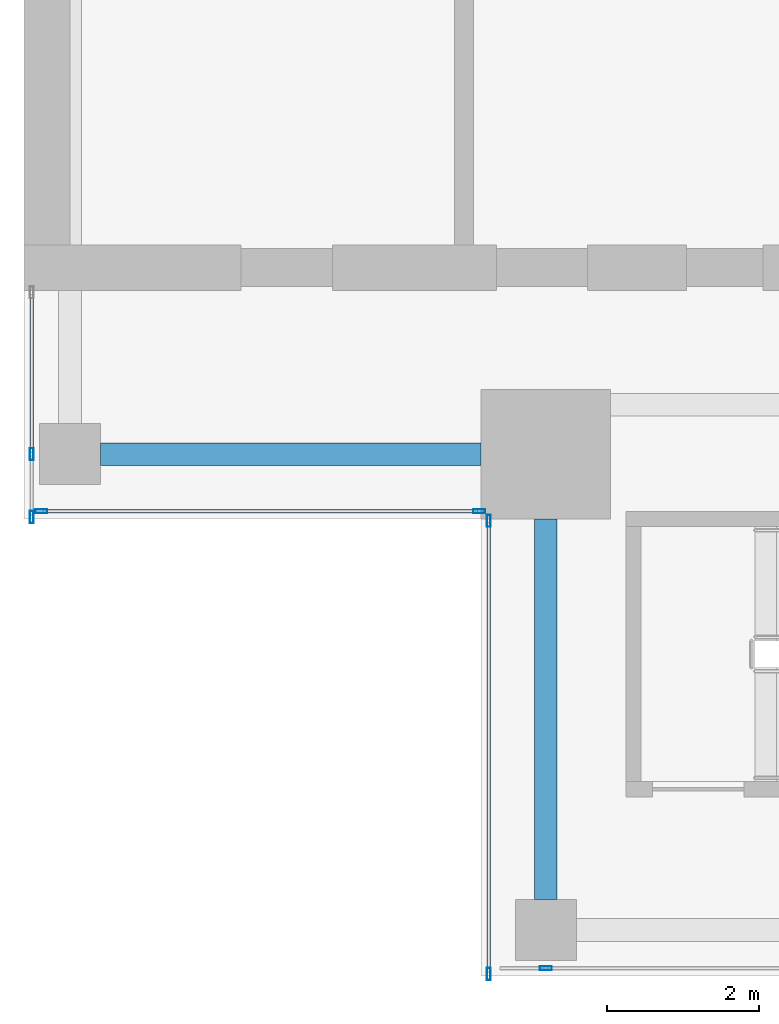
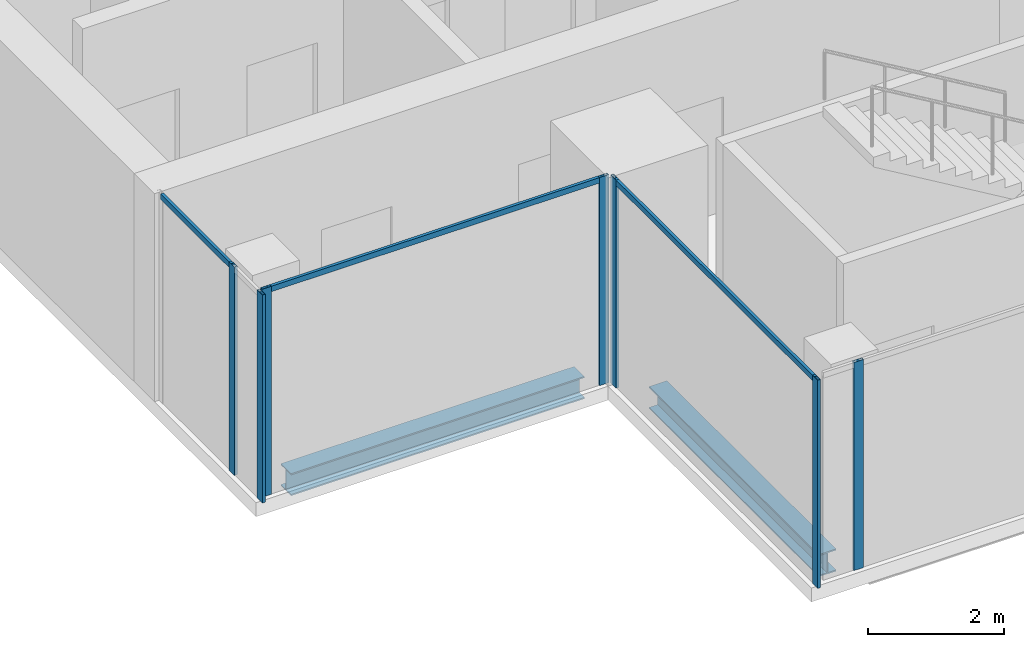
# One storey, part 2 of 29: 10 members, 2 beams, 4 elements without a shape of their own.
"""IFC4 building model written with IfcOpenShell, lengths in metres."""

import ifcopenshell
import ifcopenshell.guid

model = None  # the IFC model being written
_history = None  # IfcOwnerHistory: only IFC2X3 demands one
_inside = {}  # id of a spatial element -> (the spatial element, [elements in it])
_under = {}  # id of a project, library or spatial element -> (it, [spatial elements below it])
_declared = {}  # id of a project -> (the project, [libraries it declares])
_typed = {}  # id of a type object -> (the type object, [elements of that type])
_made_of = {}  # id of a material, layer set ... -> (it, [elements and type objects made of it])


def new_model(schema):
    """Start an empty IFC model of exactly this schema.

    Asked for "IFC4X3", IfcOpenShell would pick the latest addendum, in which some entities
    have other attributes; the version numbers below select the first issue.
    IFC2X3 requires an IfcOwnerHistory on every rooted entity: one is made here for all.
    """
    global model, _history
    if schema == "IFC4X3":
        model = ifcopenshell.file(schema_version=(4, 3, 0, 0))
    else:
        model = ifcopenshell.file(schema=schema)
    _inside.clear()
    _under.clear()
    _declared.clear()
    _typed.clear()
    _made_of.clear()
    _history = None
    if model.schema == "IFC2X3":
        org = make("IfcOrganization", Name="unknown")
        user = make(
            "IfcPersonAndOrganization",
            ThePerson=make("IfcPerson", FamilyName="unknown"),
            TheOrganization=org,
        )
        app = make(
            "IfcApplication",
            ApplicationDeveloper=org,
            Version="unknown",
            ApplicationFullName="unknown",
            ApplicationIdentifier="unknown",
        )
        _history = make(
            "IfcOwnerHistory",
            OwningUser=user,
            OwningApplication=app,
            ChangeAction="ADDED",
            CreationDate=0,
        )
    return model


def make(cls, **values):
    """One entity of the class cls with the attributes given. An attribute that is None is left unset."""
    return model.create_entity(
        cls, **{name: value for name, value in values.items() if value is not None}
    )


def rooted(cls, **values):
    """An entity with a GlobalId (a new one), such as an element, a storey or a relation."""
    return make(cls, GlobalId=ifcopenshell.guid.new(), OwnerHistory=_history, **values)


def si_unit(unit_type, name, prefix=None):
    """IfcSIUnit, for example si_unit("LENGTHUNIT", "METRE", prefix="MILLI")."""
    return make("IfcSIUnit", UnitType=unit_type, Prefix=prefix, Name=name)


def assignment(units):
    """IfcUnitAssignment: the units of a project."""
    return None if units is None else make("IfcUnitAssignment", Units=units)


def point(xyz):
    """IfcCartesianPoint."""
    return None if xyz is None else make("IfcCartesianPoint", Coordinates=xyz)


def direction(xyz):
    """IfcDirection."""
    return None if xyz is None else make("IfcDirection", DirectionRatios=xyz)


def frame(location, z_axis=None, x_axis=None):
    """IfcAxis2Placement3D, a coordinate frame: its origin and axes. An axis left out is left unset."""
    return make(
        "IfcAxis2Placement3D",
        Location=point(location),
        Axis=direction(z_axis),
        RefDirection=direction(x_axis),
    )


def frame_2d(location, x_axis=None):
    """IfcAxis2Placement2D, a coordinate frame in the plane: its origin and x axis."""
    return make(
        "IfcAxis2Placement2D", Location=point(location), RefDirection=direction(x_axis)
    )


def origin():
    """The frame at (0, 0, 0) with its axes left unset."""
    return frame((0.0, 0.0, 0.0))


def origin_2d():
    """The frame at (0, 0) in the plane with its x axis left unset."""
    return frame_2d((0.0, 0.0))


def place(relative_to, where):
    """IfcLocalPlacement: puts the frame where relative to a parent placement (None: the world)."""
    return make(
        "IfcLocalPlacement", PlacementRelTo=relative_to, RelativePlacement=where
    )


def context(
    kind, dimensions, precision=None, world=None, true_north=None, identifier=None
):
    """IfcGeometricRepresentationContext, for example the 3D "Model" context."""
    return make(
        "IfcGeometricRepresentationContext",
        ContextIdentifier=identifier,
        ContextType=kind,
        CoordinateSpaceDimension=dimensions,
        Precision=precision,
        WorldCoordinateSystem=world,
        TrueNorth=true_north,
    )


def subcontext(parent, identifier, kind, view, scale=None):
    """IfcGeometricRepresentationSubContext, for example "Body" below "Model"."""
    return make(
        "IfcGeometricRepresentationSubContext",
        ContextIdentifier=identifier,
        ContextType=kind,
        ParentContext=parent,
        TargetScale=scale,
        TargetView=view,
    )


def project(units=None, contexts=None):
    """IfcProject with its units and contexts."""
    return rooted(
        "IfcProject",
        Name="project",
        RepresentationContexts=contexts,
        UnitsInContext=assignment(units),
    )


def spatial(cls, under=None, at=None, **own):
    """A site, building, storey or space (cls), placed at a placement, below another one or the project."""
    s = rooted(cls, ObjectPlacement=at, **own)
    if under is not None:
        _under.setdefault(under.id(), (under, []))[1].append(s)
    return s


def profile(cls, at=None, kind="AREA", **sizes):
    """A parametric profile (cls). Its sizes go by their IFC names, for example OverallWidth=200.0."""
    return make(cls, ProfileType=kind, Position=at, **sizes)


def hollow_rectangle(**sizes):
    """IfcRectangleHollowProfileDef."""
    return profile("IfcRectangleHollowProfileDef", **sizes)


def i_section(**sizes):
    """IfcIShapeProfileDef."""
    return profile("IfcIShapeProfileDef", **sizes)


def extrude(swept, where, along, depth):
    """IfcExtrudedAreaSolid: the profile swept, set in the frame where, extruded along a direction by depth."""
    return make(
        "IfcExtrudedAreaSolid",
        SweptArea=swept,
        Position=where,
        ExtrudedDirection=direction(along),
        Depth=depth,
    )


def shape(context_of_items, identifier, shape_type, items):
    """IfcShapeRepresentation: the items that make up one representation, for example the "Body"."""
    return make(
        "IfcShapeRepresentation",
        ContextOfItems=context_of_items,
        RepresentationIdentifier=identifier,
        RepresentationType=shape_type,
        Items=items,
    )


def source(mapping_origin, context_of_items, identifier, shape_type, items):
    """IfcRepresentationMap: a shape defined once, which mapped items show again and again."""
    return make(
        "IfcRepresentationMap",
        MappingOrigin=mapping_origin,
        MappedRepresentation=shape(context_of_items, identifier, shape_type, items),
    )


def transform(
    local_origin,
    x_axis=None,
    y_axis=None,
    z_axis=None,
    scale=None,
    scale2=None,
    scale3=None,
    uniform=True,
):
    """IfcCartesianTransformationOperator3D, or its non-uniform kind. x_axis, y_axis, z_axis: its Axis1, 2, 3."""
    if uniform:
        return make(
            "IfcCartesianTransformationOperator3D",
            Axis1=direction(x_axis),
            Axis2=direction(y_axis),
            LocalOrigin=point(local_origin),
            Scale=scale,
            Axis3=direction(z_axis),
        )
    return make(
        "IfcCartesianTransformationOperator3DnonUniform",
        Axis1=direction(x_axis),
        Axis2=direction(y_axis),
        LocalOrigin=point(local_origin),
        Scale=scale,
        Axis3=direction(z_axis),
        Scale2=scale2,
        Scale3=scale3,
    )


def mapped(mapping_source, mapping_target):
    """IfcMappedItem: shows the shape of a source again, moved by a transform."""
    return make(
        "IfcMappedItem", MappingSource=mapping_source, MappingTarget=mapping_target
    )


def material(Name=None, Category=None):
    """IfcMaterial."""
    return make("IfcMaterial", Name=Name, Category=Category)


def material_profile(
    of_material, cross_section, Name=None, Category=None, Priority=None
):
    """IfcMaterialProfile: a cross section and its material."""
    return make(
        "IfcMaterialProfile",
        Name=Name,
        Material=of_material,
        Profile=cross_section,
        Priority=Priority,
        Category=Category,
    )


def profile_set(profiles, Name=None, composite=None):
    """IfcMaterialProfileSet."""
    return make(
        "IfcMaterialProfileSet",
        Name=Name,
        MaterialProfiles=profiles,
        CompositeProfile=composite,
    )


def made_of(thing, what):
    """Note that an element or type object is made of a material, layer set ...; save() writes the relation."""
    if what is not None:
        _made_of.setdefault(what.id(), (what, []))[1].append(thing)
    return thing


def type_object(cls, material=None, **own):
    """A type object (cls), such as IfcWallType, which elements share."""
    return made_of(rooted(cls, **own), material)


def element(
    cls,
    number,
    at=None,
    inside=None,
    cuts=None,
    type_object=None,
    material=None,
    context=None,
    identifier="Body",
    shape_type=None,
    held_by="IfcProductDefinitionShape",
    body=None,
    shapes=None,
    **own,
):
    """One element of the class cls, such as IfcWall. Its Tag is "e" and its number.

    at: its placement. inside: the storey or other place that contains it. cuts: it is an
    opening in that element (IfcRelVoidsElement). A single representation is given by context,
    identifier, shape_type and body (its items); several are given by shapes. held_by: the class
    of the entity that holds the representations. save() writes the other relations.
    """
    e = rooted(cls, Tag="e%d" % number, ObjectPlacement=at, **own)
    if body is not None:
        shapes = [shape(context, identifier, shape_type, body)]
    if shapes is not None:
        e.Representation = make(held_by, Representations=shapes)
    if inside is not None:
        _inside.setdefault(inside.id(), (inside, []))[1].append(e)
    if cuts is not None:
        rooted(
            "IfcRelVoidsElement", RelatingBuildingElement=cuts, RelatedOpeningElement=e
        )
    if type_object is not None:
        _typed.setdefault(type_object.id(), (type_object, []))[1].append(e)
    return made_of(e, material)


def aggregate(whole, parts):
    """IfcRelAggregates: a whole, such as a stair, and the parts it consists of."""
    return rooted("IfcRelAggregates", RelatingObject=whole, RelatedObjects=parts)


def save(model, path):
    """Write the relations noted so far, then the file.

    IfcRelAggregates (storeys below a building ...), IfcRelContainedInSpatialStructure (elements
    in a storey), IfcRelDefinesByType, IfcRelAssociatesMaterial and IfcRelDeclares: one each for
    every whole, place, type object, material and project.
    """
    for whole, parts in _under.values():
        aggregate(whole, parts)
    for where, things in _inside.values():
        rooted(
            "IfcRelContainedInSpatialStructure",
            RelatedElements=things,
            RelatingStructure=where,
        )
    for kind, things in _typed.values():
        rooted("IfcRelDefinesByType", RelatedObjects=things, RelatingType=kind)
    for what, things in _made_of.values():
        rooted("IfcRelAssociatesMaterial", RelatedObjects=things, RelatingMaterial=what)
    for by, libraries in _declared.values():
        rooted("IfcRelDeclares", RelatingContext=by, RelatedDefinitions=libraries)
    model.write(path)


model = new_model("IFC4")

# Units and contexts
model_context = context("Model", 3, precision=1e-05, world=origin(), true_north=direction((0.0, 1.0)))
body_context = subcontext(model_context, "Body", "Model", "MODEL_VIEW")
ifc_project = project(units=[si_unit("LENGTHUNIT", "METRE"), si_unit("AREAUNIT", "SQUARE_METRE"), si_unit("VOLUMEUNIT", "CUBIC_METRE"), si_unit("PLANEANGLEUNIT", "RADIAN"), si_unit("MASSUNIT", "GRAM", prefix="KILO")], contexts=[model_context])

# Site, building, storey
site_placement = place(None, origin())
site = spatial("IfcSite", under=ifc_project, at=site_placement, CompositionType="ELEMENT")
building_placement = place(site_placement, origin())
building = spatial("IfcBuilding", under=site, at=building_placement, Name="Khomas Fold Tower", CompositionType="ELEMENT")
storey_placement = place(building_placement, frame((0.0, 0.0, 326.199951171875)))
storey = spatial("IfcBuildingStorey", under=building, at=storey_placement, Name="L74", CompositionType="ELEMENT", Elevation=326.199951171875)

# Beams
ifc_material_1 = material(Name="Steel S355", Category="steel")
ifc_material_profile_1 = material_profile(ifc_material_1, i_section(OverallWidth=0.300048828125, OverallDepth=0.39990234375, WebThickness=0.013427734375, FlangeThickness=0.02392578125, at=origin_2d()), Name="HE 400 B")
ifc_profile_set_1 = profile_set([ifc_material_profile_1], Name="Steel S355")
beam_type = type_object("IfcBeamType", Name="HE 400 B spandrel SB5", PredefinedType="SPANDREL", material=ifc_profile_set_1)
shared_shape_1 = source(origin(), body_context, "Body", "SweptSolid", [
    extrude(i_section(OverallWidth=0.300048828125, OverallDepth=0.39990234375, WebThickness=0.013427734375, FlangeThickness=0.02392578125, at=origin_2d()), origin(), (0.0, 0.0, 1.0), 5.0),
])
for number, where, z_axis, x_axis, name in (
    (1, (7.0, 12.85009765625, -0.449951171875), (1.0, 0.0, 0.0), (0.0, 1.0, 0.0), "SB5"),
    (2, (12.85009765625, 7.0, -0.449951171875), (0.0, 1.0, 0.0), (-1.0, 0.0, 0.0), "SB5"),
):
    element("IfcBeam", number, at=place(storey_placement, frame(where, z_axis=z_axis, x_axis=x_axis)), inside=storey, type_object=beam_type, Name=name, PredefinedType="SPANDREL", context=body_context, shape_type="MappedRepresentation", body=[
        mapped(shared_shape_1, transform((0.0, 0.0, 0.0))),
    ])

# Curtain wall, member
ifc_material_2 = material(Name="Aluminium framed double glazing", Category="aluminium")
curtain_wall_type = type_object("IfcCurtainWallType", Name="SK-Unitised clear-glass wall, upper floors CW3", PredefinedType="NOTDEFINED", material=ifc_material_2)
curtain_wall_1_placement = place(storey_placement, origin())
curtain_wall_1 = element("IfcCurtainWall", 3, at=curtain_wall_1_placement, inside=storey, type_object=curtain_wall_type, Name="CW3 run L74 00-0", PredefinedType="NOTDEFINED")
ifc_material_3 = material(Name="Aluminium", Category="aluminium")
ifc_material_profile_2 = material_profile(ifc_material_3, hollow_rectangle(XDim=0.050048828125, YDim=0.159912109375, WallThickness=0.00390625, at=origin_2d()), Name="SK-Unitised clear-glass wall, upper floors mullion CW3-M")
ifc_profile_set_2 = profile_set([ifc_material_profile_2], Name="Aluminium")
member_type_1 = type_object("IfcMemberType", Name="SK-Unitised clear-glass wall, upper floors mullion CW3-M", PredefinedType="MULLION", material=ifc_profile_set_2)
shared_shape_2 = source(origin(), body_context, "Body", "SweptSolid", [
    extrude(hollow_rectangle(XDim=0.050048828125, YDim=0.159912109375, WallThickness=0.00390625, at=origin_2d()), origin(), (0.0, 0.0, 1.0), 3.75),
])
member_1_placement = place(storey_placement, frame((12.85009765625, 6.10009765625, 0.0), z_axis=(0.0, 0.0, 1.0), x_axis=(0.0, 1.0, 0.0)))
member_1 = element("IfcMember", 4, at=member_1_placement, type_object=member_type_1, Name="CW3 mullion 2", PredefinedType="MULLION", context=body_context, shape_type="MappedRepresentation", body=[
    mapped(shared_shape_2, transform((0.0, 0.0, 0.0))),
])
aggregate(curtain_wall_1, [member_1])

# Curtain wall, members
curtain_wall_2_placement = place(storey_placement, origin())
curtain_wall_2 = element("IfcCurtainWall", 5, at=curtain_wall_2_placement, inside=storey, type_object=curtain_wall_type, Name="CW3 run L74 09-1", PredefinedType="NOTDEFINED")
member_2_placement = place(storey_placement, frame((6.10009765625, 12.85009765625, 0.0), z_axis=(0.0, 0.0, 1.0), x_axis=(1.0, 0.0, 0.0)))
member_2 = element("IfcMember", 6, at=member_2_placement, type_object=member_type_1, Name="CW3 mullion 2", PredefinedType="MULLION", context=body_context, shape_type="MappedRepresentation", body=[
    mapped(shared_shape_2, transform((0.0, 0.0, 0.0))),
])
member_3_placement = place(storey_placement, frame((6.10009765625, 12.02490234375, 0.0), z_axis=(0.0, 0.0, 1.0), x_axis=(1.0, 0.0, 0.0)))
member_3 = element("IfcMember", 7, at=member_3_placement, type_object=member_type_1, Name="CW3 mullion 3", PredefinedType="MULLION", context=body_context, shape_type="MappedRepresentation", body=[
    mapped(shared_shape_2, transform((0.0, 0.0, 0.0))),
])

curtain_wall_3_placement = place(storey_placement, origin())
curtain_wall_3 = element("IfcCurtainWall", 8, at=curtain_wall_3_placement, inside=storey, type_object=curtain_wall_type, Name="CW3 corner return L74 10", PredefinedType="NOTDEFINED")
member_4_placement = place(storey_placement, frame((6.22509765625, 12.10009765625, 0.0), z_axis=(0.0, 0.0, 1.0), x_axis=(0.0, 1.0, 0.0)))
member_4 = element("IfcMember", 9, at=member_4_placement, type_object=member_type_1, Name="CW3 mullion 1", PredefinedType="MULLION", context=body_context, shape_type="MappedRepresentation", body=[
    mapped(shared_shape_2, transform((0.0, 0.0, 0.0))),
])
member_5_placement = place(storey_placement, frame((11.97509765625, 12.10009765625, 0.0), z_axis=(0.0, 0.0, 1.0), x_axis=(0.0, 1.0, 0.0)))
member_5 = element("IfcMember", 10, at=member_5_placement, type_object=member_type_1, Name="CW3 mullion 2", PredefinedType="MULLION", context=body_context, shape_type="MappedRepresentation", body=[
    mapped(shared_shape_2, transform((0.0, 0.0, 0.0))),
])

curtain_wall_4_placement = place(storey_placement, origin())
curtain_wall_4 = element("IfcCurtainWall", 11, at=curtain_wall_4_placement, inside=storey, type_object=curtain_wall_type, Name="CW3 corner return L74 11", PredefinedType="NOTDEFINED")
member_6_placement = place(storey_placement, frame((12.10009765625, 11.97509765625, 0.0), z_axis=(0.0, 0.0, 1.0), x_axis=(1.0, 0.0, 0.0)))
member_6 = element("IfcMember", 12, at=member_6_placement, type_object=member_type_1, Name="CW3 mullion 1", PredefinedType="MULLION", context=body_context, shape_type="MappedRepresentation", body=[
    mapped(shared_shape_2, transform((0.0, 0.0, 0.0))),
])
member_7_placement = place(storey_placement, frame((12.10009765625, 6.02490234375, 0.0), z_axis=(0.0, 0.0, 1.0), x_axis=(1.0, 0.0, 0.0)))
member_7 = element("IfcMember", 13, at=member_7_placement, type_object=member_type_1, Name="CW3 mullion 2", PredefinedType="MULLION", context=body_context, shape_type="MappedRepresentation", body=[
    mapped(shared_shape_2, transform((0.0, 0.0, 0.0))),
])

# Member
ifc_material_4 = material(Name="Aluminium", Category="aluminium")
ifc_material_profile_3 = material_profile(ifc_material_4, hollow_rectangle(XDim=0.050048828125, YDim=0.10009765625, WallThickness=0.00390625, at=origin_2d()), Name="SK-Unitised clear-glass wall, upper floors transom CW3-T")
ifc_profile_set_3 = profile_set([ifc_material_profile_3], Name="Aluminium")
member_type_2 = type_object("IfcMemberType", Name="SK-Unitised clear-glass wall, upper floors transom CW3-T", PredefinedType="USERDEFINED", material=ifc_profile_set_3)
shared_shape_3 = source(origin(), body_context, "Body", "SweptSolid", [
    extrude(hollow_rectangle(XDim=0.050048828125, YDim=0.10009765625, WallThickness=0.00390625, at=origin_2d()), origin(), (0.0, 0.0, 1.0), 5.699951171875),
])
member_8_placement = place(storey_placement, frame((6.25, 12.10009765625, 3.699951171875), z_axis=(1.0, 0.0, 0.0), x_axis=(0.0, 1.0, 0.0)))
member_8 = element("IfcMember", 14, at=member_8_placement, type_object=member_type_2, Name="CW3 transom 1", ObjectType="TRANSOM", PredefinedType="USERDEFINED", context=body_context, shape_type="MappedRepresentation", body=[
    mapped(shared_shape_3, transform((0.0, 0.0, 0.0))),
])

aggregate(curtain_wall_3, [member_4, member_5, member_8])

shared_shape_4 = source(origin(), body_context, "Body", "SweptSolid", [
    extrude(hollow_rectangle(XDim=0.050048828125, YDim=0.10009765625, WallThickness=0.00390625, at=origin_2d()), origin(), (0.0, 0.0, 1.0), 5.89990234375),
])
member_9_placement = place(storey_placement, frame((12.10009765625, 11.949951171875, 3.699951171875), z_axis=(0.0, -1.0, 0.0), x_axis=(1.0, 0.0, 0.0)))
member_9 = element("IfcMember", 15, at=member_9_placement, type_object=member_type_2, Name="CW3 transom 1", ObjectType="TRANSOM", PredefinedType="USERDEFINED", context=body_context, shape_type="MappedRepresentation", body=[
    mapped(shared_shape_4, transform((0.0, 0.0, 0.0))),
])

aggregate(curtain_wall_4, [member_6, member_7, member_9])

shared_shape_5 = source(origin(), body_context, "Body", "SweptSolid", [
    extrude(hollow_rectangle(XDim=0.050048828125, YDim=0.10009765625, WallThickness=0.00390625, at=origin_2d()), origin(), (0.0, 0.0, 1.0), 2.074951171875),
])
member_10_placement = place(storey_placement, frame((6.10009765625, 14.949951171875, 3.699951171875), z_axis=(0.0, -1.0, 0.0), x_axis=(1.0, 0.0, 0.0)))
member_10 = element("IfcMember", 16, at=member_10_placement, type_object=member_type_2, Name="CW3 transom 1", ObjectType="TRANSOM", PredefinedType="USERDEFINED", context=body_context, shape_type="MappedRepresentation", body=[
    mapped(shared_shape_5, transform((0.0, 0.0, 0.0))),
])

aggregate(curtain_wall_2, [member_2, member_3, member_10])

save(model, "model.ifc")
